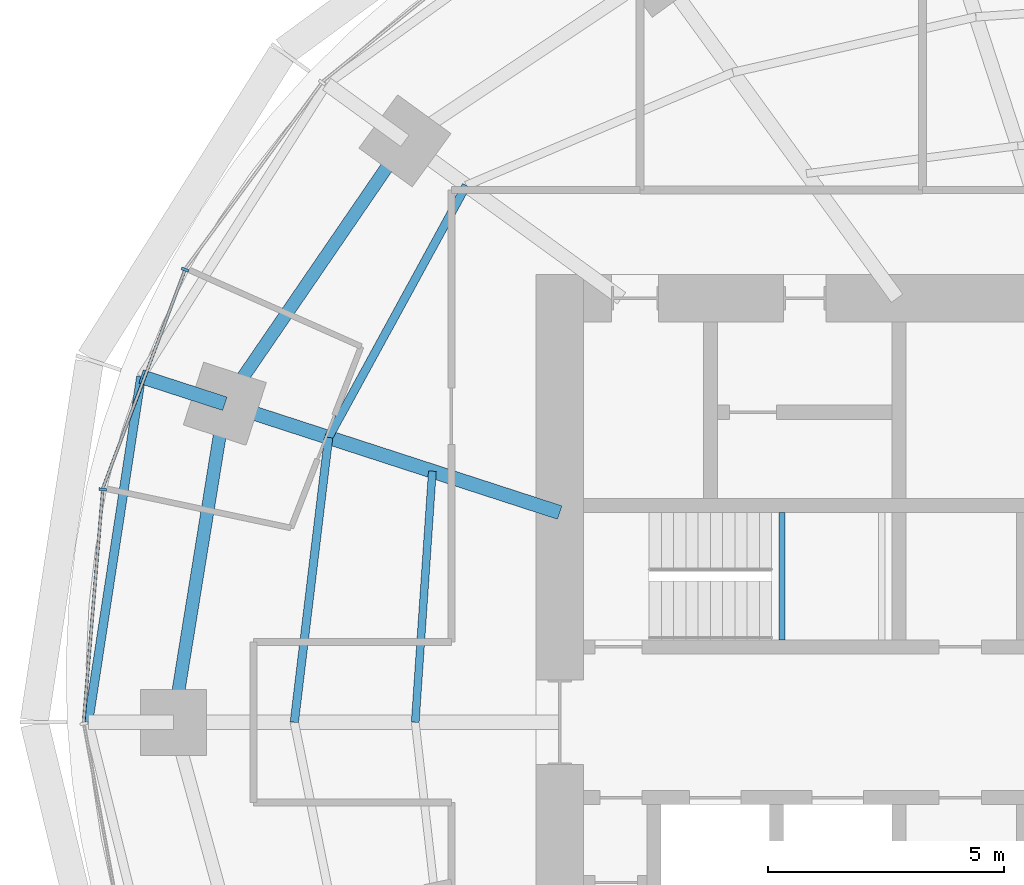
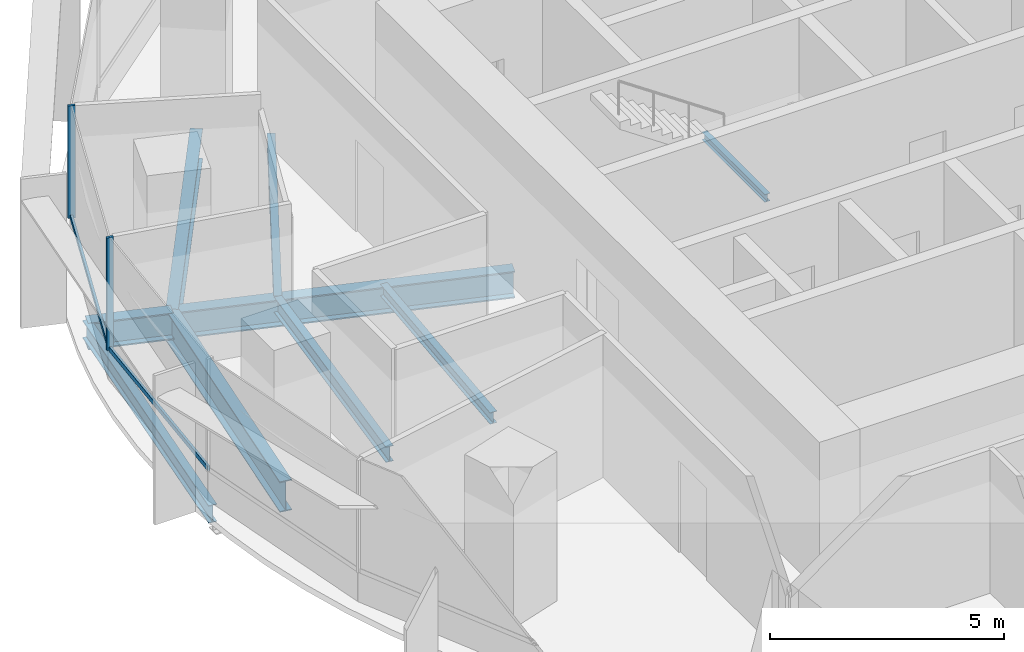
# One storey, part 4 of 14: 9 beams, 4 members, 1 element without a shape of its own.
"""IFC4 building model written with IfcOpenShell, lengths in metres."""

import ifcopenshell
import ifcopenshell.guid

model = None  # the IFC model being written
_history = None  # IfcOwnerHistory: only IFC2X3 demands one
_inside = {}  # id of a spatial element -> (the spatial element, [elements in it])
_under = {}  # id of a project, library or spatial element -> (it, [spatial elements below it])
_declared = {}  # id of a project -> (the project, [libraries it declares])
_typed = {}  # id of a type object -> (the type object, [elements of that type])
_made_of = {}  # id of a material, layer set ... -> (it, [elements and type objects made of it])


def new_model(schema):
    """Start an empty IFC model of exactly this schema.

    Asked for "IFC4X3", IfcOpenShell would pick the latest addendum, in which some entities
    have other attributes; the version numbers below select the first issue.
    IFC2X3 requires an IfcOwnerHistory on every rooted entity: one is made here for all.
    """
    global model, _history
    if schema == "IFC4X3":
        model = ifcopenshell.file(schema_version=(4, 3, 0, 0))
    else:
        model = ifcopenshell.file(schema=schema)
    _inside.clear()
    _under.clear()
    _declared.clear()
    _typed.clear()
    _made_of.clear()
    _history = None
    if model.schema == "IFC2X3":
        org = make("IfcOrganization", Name="unknown")
        user = make(
            "IfcPersonAndOrganization",
            ThePerson=make("IfcPerson", FamilyName="unknown"),
            TheOrganization=org,
        )
        app = make(
            "IfcApplication",
            ApplicationDeveloper=org,
            Version="unknown",
            ApplicationFullName="unknown",
            ApplicationIdentifier="unknown",
        )
        _history = make(
            "IfcOwnerHistory",
            OwningUser=user,
            OwningApplication=app,
            ChangeAction="ADDED",
            CreationDate=0,
        )
    return model


def make(cls, **values):
    """One entity of the class cls with the attributes given. An attribute that is None is left unset."""
    return model.create_entity(
        cls, **{name: value for name, value in values.items() if value is not None}
    )


def rooted(cls, **values):
    """An entity with a GlobalId (a new one), such as an element, a storey or a relation."""
    return make(cls, GlobalId=ifcopenshell.guid.new(), OwnerHistory=_history, **values)


def si_unit(unit_type, name, prefix=None):
    """IfcSIUnit, for example si_unit("LENGTHUNIT", "METRE", prefix="MILLI")."""
    return make("IfcSIUnit", UnitType=unit_type, Prefix=prefix, Name=name)


def assignment(units):
    """IfcUnitAssignment: the units of a project."""
    return None if units is None else make("IfcUnitAssignment", Units=units)


def point(xyz):
    """IfcCartesianPoint."""
    return None if xyz is None else make("IfcCartesianPoint", Coordinates=xyz)


def direction(xyz):
    """IfcDirection."""
    return None if xyz is None else make("IfcDirection", DirectionRatios=xyz)


def frame(location, z_axis=None, x_axis=None):
    """IfcAxis2Placement3D, a coordinate frame: its origin and axes. An axis left out is left unset."""
    return make(
        "IfcAxis2Placement3D",
        Location=point(location),
        Axis=direction(z_axis),
        RefDirection=direction(x_axis),
    )


def frame_2d(location, x_axis=None):
    """IfcAxis2Placement2D, a coordinate frame in the plane: its origin and x axis."""
    return make(
        "IfcAxis2Placement2D", Location=point(location), RefDirection=direction(x_axis)
    )


def origin():
    """The frame at (0, 0, 0) with its axes left unset."""
    return frame((0.0, 0.0, 0.0))


def origin_2d():
    """The frame at (0, 0) in the plane with its x axis left unset."""
    return frame_2d((0.0, 0.0))


def place(relative_to, where):
    """IfcLocalPlacement: puts the frame where relative to a parent placement (None: the world)."""
    return make(
        "IfcLocalPlacement", PlacementRelTo=relative_to, RelativePlacement=where
    )


def context(
    kind, dimensions, precision=None, world=None, true_north=None, identifier=None
):
    """IfcGeometricRepresentationContext, for example the 3D "Model" context."""
    return make(
        "IfcGeometricRepresentationContext",
        ContextIdentifier=identifier,
        ContextType=kind,
        CoordinateSpaceDimension=dimensions,
        Precision=precision,
        WorldCoordinateSystem=world,
        TrueNorth=true_north,
    )


def subcontext(parent, identifier, kind, view, scale=None):
    """IfcGeometricRepresentationSubContext, for example "Body" below "Model"."""
    return make(
        "IfcGeometricRepresentationSubContext",
        ContextIdentifier=identifier,
        ContextType=kind,
        ParentContext=parent,
        TargetScale=scale,
        TargetView=view,
    )


def project(units=None, contexts=None):
    """IfcProject with its units and contexts."""
    return rooted(
        "IfcProject",
        Name="project",
        RepresentationContexts=contexts,
        UnitsInContext=assignment(units),
    )


def spatial(cls, under=None, at=None, **own):
    """A site, building, storey or space (cls), placed at a placement, below another one or the project."""
    s = rooted(cls, ObjectPlacement=at, **own)
    if under is not None:
        _under.setdefault(under.id(), (under, []))[1].append(s)
    return s


def profile(cls, at=None, kind="AREA", **sizes):
    """A parametric profile (cls). Its sizes go by their IFC names, for example OverallWidth=200.0."""
    return make(cls, ProfileType=kind, Position=at, **sizes)


def rectangle(**sizes):
    """IfcRectangleProfileDef."""
    return profile("IfcRectangleProfileDef", **sizes)


def i_section(**sizes):
    """IfcIShapeProfileDef."""
    return profile("IfcIShapeProfileDef", **sizes)


def extrude(swept, where, along, depth):
    """IfcExtrudedAreaSolid: the profile swept, set in the frame where, extruded along a direction by depth."""
    return make(
        "IfcExtrudedAreaSolid",
        SweptArea=swept,
        Position=where,
        ExtrudedDirection=direction(along),
        Depth=depth,
    )


def shape(context_of_items, identifier, shape_type, items):
    """IfcShapeRepresentation: the items that make up one representation, for example the "Body"."""
    return make(
        "IfcShapeRepresentation",
        ContextOfItems=context_of_items,
        RepresentationIdentifier=identifier,
        RepresentationType=shape_type,
        Items=items,
    )


def material(Name=None, Category=None):
    """IfcMaterial."""
    return make("IfcMaterial", Name=Name, Category=Category)


def material_profile(
    of_material, cross_section, Name=None, Category=None, Priority=None
):
    """IfcMaterialProfile: a cross section and its material."""
    return make(
        "IfcMaterialProfile",
        Name=Name,
        Material=of_material,
        Profile=cross_section,
        Priority=Priority,
        Category=Category,
    )


def profile_set(profiles, Name=None, composite=None):
    """IfcMaterialProfileSet."""
    return make(
        "IfcMaterialProfileSet",
        Name=Name,
        MaterialProfiles=profiles,
        CompositeProfile=composite,
    )


def made_of(thing, what):
    """Note that an element or type object is made of a material, layer set ...; save() writes the relation."""
    if what is not None:
        _made_of.setdefault(what.id(), (what, []))[1].append(thing)
    return thing


def type_object(cls, material=None, **own):
    """A type object (cls), such as IfcWallType, which elements share."""
    return made_of(rooted(cls, **own), material)


def element(
    cls,
    number,
    at=None,
    inside=None,
    cuts=None,
    type_object=None,
    material=None,
    context=None,
    identifier="Body",
    shape_type=None,
    held_by="IfcProductDefinitionShape",
    body=None,
    shapes=None,
    **own,
):
    """One element of the class cls, such as IfcWall. Its Tag is "e" and its number.

    at: its placement. inside: the storey or other place that contains it. cuts: it is an
    opening in that element (IfcRelVoidsElement). A single representation is given by context,
    identifier, shape_type and body (its items); several are given by shapes. held_by: the class
    of the entity that holds the representations. save() writes the other relations.
    """
    e = rooted(cls, Tag="e%d" % number, ObjectPlacement=at, **own)
    if body is not None:
        shapes = [shape(context, identifier, shape_type, body)]
    if shapes is not None:
        e.Representation = make(held_by, Representations=shapes)
    if inside is not None:
        _inside.setdefault(inside.id(), (inside, []))[1].append(e)
    if cuts is not None:
        rooted(
            "IfcRelVoidsElement", RelatingBuildingElement=cuts, RelatedOpeningElement=e
        )
    if type_object is not None:
        _typed.setdefault(type_object.id(), (type_object, []))[1].append(e)
    return made_of(e, material)


def aggregate(whole, parts):
    """IfcRelAggregates: a whole, such as a stair, and the parts it consists of."""
    return rooted("IfcRelAggregates", RelatingObject=whole, RelatedObjects=parts)


def save(model, path):
    """Write the relations noted so far, then the file.

    IfcRelAggregates (storeys below a building ...), IfcRelContainedInSpatialStructure (elements
    in a storey), IfcRelDefinesByType, IfcRelAssociatesMaterial and IfcRelDeclares: one each for
    every whole, place, type object, material and project.
    """
    for whole, parts in _under.values():
        aggregate(whole, parts)
    for where, things in _inside.values():
        rooted(
            "IfcRelContainedInSpatialStructure",
            RelatedElements=things,
            RelatingStructure=where,
        )
    for kind, things in _typed.values():
        rooted("IfcRelDefinesByType", RelatedObjects=things, RelatingType=kind)
    for what, things in _made_of.values():
        rooted("IfcRelAssociatesMaterial", RelatedObjects=things, RelatingMaterial=what)
    for by, libraries in _declared.values():
        rooted("IfcRelDeclares", RelatingContext=by, RelatedDefinitions=libraries)
    model.write(path)


model = new_model("IFC4")

# Units and contexts
model_context = context("Model", 3, precision=1e-05, world=origin(), true_north=direction((0.0, 1.0)))
body_context = subcontext(model_context, "Body", "Model", "MODEL_VIEW")
ifc_project = project(units=[si_unit("LENGTHUNIT", "METRE"), si_unit("AREAUNIT", "SQUARE_METRE"), si_unit("VOLUMEUNIT", "CUBIC_METRE"), si_unit("PLANEANGLEUNIT", "RADIAN"), si_unit("MASSUNIT", "GRAM", prefix="KILO")], contexts=[model_context])

# Site, building, storey
site_placement = place(None, origin())
site = spatial("IfcSite", under=ifc_project, at=site_placement, CompositionType="ELEMENT")
building_placement = place(site_placement, origin())
building = spatial("IfcBuilding", under=site, at=building_placement, Name="Marramba Exchange Tower", CompositionType="ELEMENT")
storey_placement = place(building_placement, frame((0.0, 0.0, 203.300048828125)))
storey = spatial("IfcBuildingStorey", under=building, at=storey_placement, Name="L49", CompositionType="ELEMENT", Elevation=203.300048828125)

# Beams
ifc_material_1 = material(Name="Steel AS/NZS 3679.2 grade 300", Category="steel")
ifc_material_profile_1 = material_profile(ifc_material_1, i_section(OverallWidth=0.300048828125, OverallDepth=0.699951171875, WebThickness=0.010009765625, FlangeThickness=0.031982421875, at=origin_2d()), Name="700WB173")
ifc_profile_set_1 = profile_set([ifc_material_profile_1], Name="Steel AS/NZS 3679.2 grade 300")
beam_type_1 = type_object("IfcBeamType", Name="Cantilever girder 700WB173", PredefinedType="BEAM", material=ifc_profile_set_1)
beam_1_placement = place(storey_placement, frame((-20.808349609375, 6.760986328125, -0.510009765625), z_axis=(-0.951047511993, 0.309044705395, 0.0), x_axis=(-0.309044705395, -0.951047511993, 0.0)))
element("IfcBeam", 1, at=beam_1_placement, inside=storey, type_object=beam_type_1, Name="Cantilever girder L49 TC10", PredefinedType="BEAM", context=body_context, shape_type="SweptSolid", body=[
    extrude(i_section(OverallWidth=0.300048828125, OverallDepth=0.699951171875, WebThickness=0.010009765625, FlangeThickness=0.031982421875, at=origin_2d()), origin(), (0.0, 0.0, 1.0), 1.868408203125),
])
ifc_material_2 = material(Name="Steel AS/NZS 3679.1 grade 300", Category="steel")
ifc_material_profile_2 = material_profile(ifc_material_2, i_section(OverallWidth=0.166015625, OverallDepth=0.306884765625, WebThickness=0.006591796875, FlangeThickness=0.01171875, FilletRadius=0.011474609375, at=origin_2d()), Name="310UB46.2")
ifc_profile_set_2 = profile_set([ifc_material_profile_2], Name="Steel AS/NZS 3679.1 grade 300")
beam_type_2 = type_object("IfcBeamType", Name="Floor joist 310UB46.2", PredefinedType="JOIST", material=ifc_profile_set_2)
beam_2_placement = place(storey_placement, frame((-16.40283203125, 5.32958984375, -0.3134765625), z_axis=(-0.068096259546, -0.99767875563, 0.0), x_axis=(0.99767875563, -0.068096259546, 0.0)))
element("IfcBeam", 2, at=beam_2_placement, inside=storey, type_object=beam_type_2, Name="Joist L49 bay 10 row 1", PredefinedType="JOIST", context=body_context, shape_type="SweptSolid", body=[
    extrude(i_section(OverallWidth=0.166015625, OverallDepth=0.306884765625, WebThickness=0.006591796875, FlangeThickness=0.01171875, FilletRadius=0.011474609375, at=origin_2d()), origin(), (0.0, 0.0, 1.0), 5.342041015625),
])
ifc_material_profile_3 = material_profile(ifc_material_2, i_section(OverallWidth=0.177978515625, OverallDepth=0.406005859375, WebThickness=0.0078125, FlangeThickness=0.0126953125, FilletRadius=0.011474609375, at=origin_2d()), Name="410UB59.7")
ifc_profile_set_3 = profile_set([ifc_material_profile_3], Name="Steel AS/NZS 3679.1 grade 300")
beam_type_3 = type_object("IfcBeamType", Name="Floor joist 410UB59.7", PredefinedType="JOIST", material=ifc_profile_set_3)
beam_3_placement = place(storey_placement, frame((-15.682373046875, 11.393798828125, -0.363037109375), z_axis=(-0.479584443791, -0.877495732909, 0.0), x_axis=(0.877495732909, -0.479584443791, 0.0)))
element("IfcBeam", 3, at=beam_3_placement, inside=storey, type_object=beam_type_3, Name="Joist L49 bay 09 row 2", PredefinedType="JOIST", context=body_context, shape_type="SweptSolid", body=[
    extrude(i_section(OverallWidth=0.177978515625, OverallDepth=0.406005859375, WebThickness=0.0078125, FlangeThickness=0.0126953125, FilletRadius=0.011474609375, at=origin_2d()), origin(), (0.0, 0.0, 1.0), 6.094970703125),
])
beam_4_placement = place(storey_placement, frame((-18.60546875, 6.04541015625, -0.363037109375), z_axis=(-0.119523078538, -0.992831422597, 0.0), x_axis=(0.992831422597, -0.119523078538, 0.0)))
element("IfcBeam", 4, at=beam_4_placement, inside=storey, type_object=beam_type_3, Name="Joist L49 bay 10 row 2", PredefinedType="JOIST", context=body_context, shape_type="SweptSolid", body=[
    extrude(i_section(OverallWidth=0.177978515625, OverallDepth=0.406005859375, WebThickness=0.0078125, FlangeThickness=0.0126953125, FilletRadius=0.011474609375, at=origin_2d()), origin(), (0.0, 0.0, 1.0), 6.089111328125),
])

# Curtain wall, members
ifc_material_3 = material(Name="Aluminium framing, bronze anodised", Category="aluminium")
curtain_wall_type = type_object("IfcCurtainWallType", Name="Office ribbon curtain wall", PredefinedType="USERDEFINED", material=ifc_material_3)
curtain_wall_placement = place(storey_placement, origin())
curtain_wall = element("IfcCurtainWall", 5, at=curtain_wall_placement, inside=storey, type_object=curtain_wall_type, Name="Curtain wall CW4 L49 F11-F15", ObjectType="RIBBON CURTAIN WALL", PredefinedType="USERDEFINED")
ifc_material_4 = material(Name="Aluminium mullion, bronze anodised", Category="aluminium")
ifc_material_profile_4 = material_profile(ifc_material_4, rectangle(XDim=0.159912109375, YDim=0.06005859375, at=origin_2d()), Name="CW4 mullion 60x160")
ifc_profile_set_4 = profile_set([ifc_material_profile_4], Name="Aluminium mullion, bronze anodised")
member_type_1 = type_object("IfcMemberType", Name="Office ribbon curtain wall mullion", PredefinedType="MULLION", material=ifc_profile_set_4)
member_1_placement = place(storey_placement, frame((-21.65283203125, 9.607666015625, 0.800048828125), z_axis=(0.0, 0.0, 1.0), x_axis=(0.936018231909, -0.351951515885, 0.0)))
member_1 = element("IfcMember", 6, at=member_1_placement, type_object=member_type_1, Name="CW4 mullion 1", PredefinedType="MULLION", context=body_context, shape_type="SweptSolid", body=[
    extrude(rectangle(XDim=0.159912109375, YDim=0.06005859375, at=origin_2d()), origin(), (0.0, 0.0, 1.0), 2.93994140625),
])
member_2_placement = place(storey_placement, frame((-23.39794921875, 4.94287109375, 0.800048828125), z_axis=(0.0, 0.0, 1.0), x_axis=(0.996609178714, -0.082280890264, 0.0)))
member_2 = element("IfcMember", 7, at=member_2_placement, type_object=member_type_1, Name="CW4 mullion 1", PredefinedType="MULLION", context=body_context, shape_type="SweptSolid", body=[
    extrude(rectangle(XDim=0.159912109375, YDim=0.06005859375, at=origin_2d()), origin(), (0.0, 0.0, 1.0), 2.93994140625),
])
ifc_material_5 = material(Name="Aluminium transom, bronze anodised", Category="aluminium")
ifc_material_profile_5 = material_profile(ifc_material_5, rectangle(XDim=0.06005859375, YDim=0.1201171875, at=origin_2d()), Name="CW4 transom 60x120")
ifc_profile_set_5 = profile_set([ifc_material_profile_5], Name="Aluminium transom, bronze anodised")
member_type_2 = type_object("IfcMemberType", Name="Office ribbon curtain wall transom", PredefinedType="USERDEFINED", material=ifc_profile_set_5)
member_3_placement = place(storey_placement, frame((-21.663330078125, 9.57958984375, 0.829833984375), z_axis=(-0.351955054115, -0.936016901494, 0.0), x_axis=(0.936016901494, -0.351955054115, 0.0)))
member_3 = element("IfcMember", 8, at=member_3_placement, type_object=member_type_2, Name="CW4 sill transom", ObjectType="TRANSOM", PredefinedType="USERDEFINED", context=body_context, shape_type="SweptSolid", body=[
    extrude(rectangle(XDim=0.06005859375, YDim=0.1201171875, at=origin_2d()), origin(), (0.0, 0.0, 1.0), 4.921630859375),
])
member_4_placement = place(storey_placement, frame((-23.400390625, 4.9130859375, 0.829833984375), z_axis=(-0.082258542539, -0.996611023509, 0.0), x_axis=(0.996611023509, -0.082258542539, 0.0)))
member_4 = element("IfcMember", 9, at=member_4_placement, type_object=member_type_2, Name="CW4 sill transom", ObjectType="TRANSOM", PredefinedType="USERDEFINED", context=body_context, shape_type="SweptSolid", body=[
    extrude(rectangle(XDim=0.06005859375, YDim=0.1201171875, at=origin_2d()), origin(), (0.0, 0.0, 1.0), 4.9296875),
])
aggregate(curtain_wall, [member_1, member_3, member_2, member_4])

# Beams
ifc_material_profile_6 = material_profile(ifc_material_1, i_section(OverallWidth=0.300048828125, OverallDepth=0.699951171875, WebThickness=0.010009765625, FlangeThickness=0.031982421875, at=origin_2d()), Name="700WB173")
ifc_profile_set_6 = profile_set([ifc_material_profile_6], Name="Steel AS/NZS 3679.2 grade 300")
beam_type_4 = type_object("IfcBeamType", Name="Radial girder 700WB173", PredefinedType="BEAM", material=ifc_profile_set_6)
beam_5_placement = place(storey_placement, frame((-13.699951171875, 4.451416015625, -0.510009765625), z_axis=(-0.951059990189, 0.309006302624, 0.0), x_axis=(-0.309006302624, -0.951059990189, 0.0)))
element("IfcBeam", 10, at=beam_5_placement, inside=storey, type_object=beam_type_4, Name="Radial girder L49 TC10", PredefinedType="BEAM", context=body_context, shape_type="SweptSolid", body=[
    extrude(i_section(OverallWidth=0.300048828125, OverallDepth=0.699951171875, WebThickness=0.010009765625, FlangeThickness=0.031982421875, at=origin_2d()), origin(), (0.0, 0.0, 1.0), 7.47412109375),
])
ifc_material_profile_7 = material_profile(ifc_material_1, i_section(OverallWidth=0.27490234375, OverallDepth=0.800048828125, WebThickness=0.010009765625, FlangeThickness=0.02490234375, at=origin_2d()), Name="800WB168")
ifc_profile_set_7 = profile_set([ifc_material_profile_7], Name="Steel AS/NZS 3679.2 grade 300")
beam_type_5 = type_object("IfcBeamType", Name="Ring beam 800WB168", PredefinedType="SPANDREL", material=ifc_profile_set_7)
beam_6_placement = place(storey_placement, frame((-16.98583984375, 12.3408203125, -0.56005859375), z_axis=(-0.56516002054, -0.824981303535, 0.0), x_axis=(0.824981303535, -0.56516002054, 0.0)))
element("IfcBeam", 11, at=beam_6_placement, inside=storey, type_object=beam_type_5, Name="Ring beam L49 TC09-TC10", PredefinedType="SPANDREL", context=body_context, shape_type="SweptSolid", body=[
    extrude(i_section(OverallWidth=0.27490234375, OverallDepth=0.800048828125, WebThickness=0.010009765625, FlangeThickness=0.02490234375, at=origin_2d()), origin(), (0.0, 0.0, 1.0), 6.763671875),
])
beam_7_placement = place(storey_placement, frame((-20.808349609375, 6.760986328125, -0.56005859375), z_axis=(-0.159384865399, -0.987216523708, 0.0), x_axis=(0.987216523708, -0.159384865399, 0.0)))
element("IfcBeam", 12, at=beam_7_placement, inside=storey, type_object=beam_type_5, Name="Ring beam L49 TC10-TC11", PredefinedType="SPANDREL", context=body_context, shape_type="SweptSolid", body=[
    extrude(i_section(OverallWidth=0.27490234375, OverallDepth=0.800048828125, WebThickness=0.010009765625, FlangeThickness=0.02490234375, at=origin_2d()), origin(), (0.0, 0.0, 1.0), 6.8486328125),
])
ifc_material_profile_8 = material_profile(ifc_material_2, i_section(OverallWidth=0.19091796875, OverallDepth=0.4599609375, WebThickness=0.010009765625, FlangeThickness=0.01611328125, FilletRadius=0.011474609375, at=origin_2d()), Name="460UB82.1")
ifc_profile_set_8 = profile_set([ifc_material_profile_8], Name="Steel AS/NZS 3679.1 grade 300")
beam_type_6 = type_object("IfcBeamType", Name="Slab edge beam 460UB82.1", PredefinedType="SPANDREL", material=ifc_profile_set_8)
beam_8_placement = place(storey_placement, frame((-22.585205078125, 7.33837890625, -0.39013671875), z_axis=(-0.150987012186, -0.988535746522, 0.0), x_axis=(0.988535746522, -0.150987012186, 0.0)))
element("IfcBeam", 13, at=beam_8_placement, inside=storey, type_object=beam_type_6, Name="Slab edge beam L49 TC10-TC11", PredefinedType="SPANDREL", context=body_context, shape_type="SweptSolid", body=[
    extrude(i_section(OverallWidth=0.19091796875, OverallDepth=0.4599609375, WebThickness=0.010009765625, FlangeThickness=0.01611328125, FilletRadius=0.011474609375, at=origin_2d()), origin(), (0.0, 0.0, 1.0), 7.423583984375),
])
ifc_material_profile_9 = material_profile(ifc_material_2, i_section(OverallWidth=0.133056640625, OverallDepth=0.202880859375, WebThickness=0.005859375, FlangeThickness=0.0078125, FilletRadius=0.0087890625, at=origin_2d()), Name="200UB25.4")
ifc_profile_set_9 = profile_set([ifc_material_profile_9], Name="Steel AS/NZS 3679.1 grade 300")
beam_type_7 = type_object("IfcBeamType", Name="Stair landing beam 200UB25.4", PredefinedType="BEAM", material=ifc_profile_set_9)
beam_9_placement = place(storey_placement, frame((-8.9833984375, 1.75, 1.6484375), z_axis=(0.0, 1.0, 0.0), x_axis=(-1.0, 0.0, 0.0)))
element("IfcBeam", 14, at=beam_9_placement, inside=storey, type_object=beam_type_7, Name="Stair landing beam SLB1 ST1 L49 1", PredefinedType="BEAM", context=body_context, shape_type="SweptSolid", body=[
    extrude(i_section(OverallWidth=0.133056640625, OverallDepth=0.202880859375, WebThickness=0.005859375, FlangeThickness=0.0078125, FilletRadius=0.0087890625, at=origin_2d()), origin(), (0.0, 0.0, 1.0), 2.699951171875),
])

save(model, "model.ifc")
